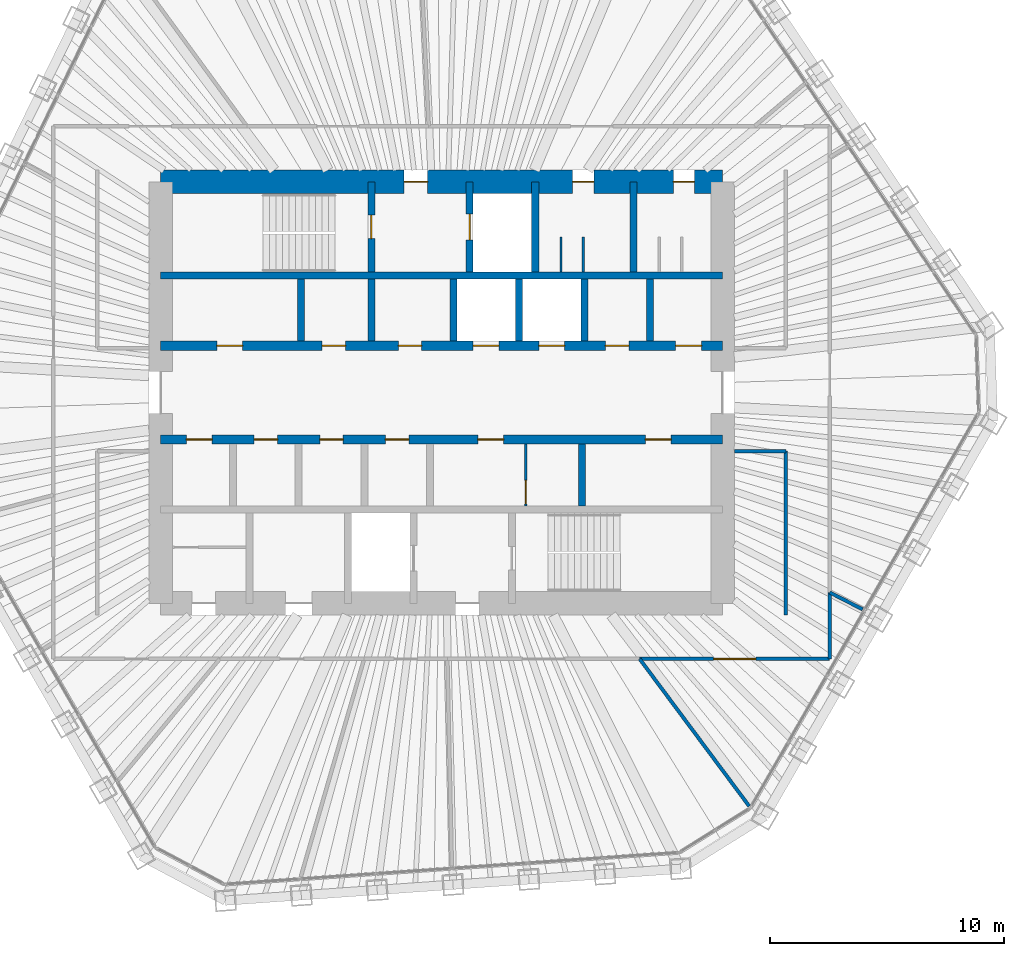
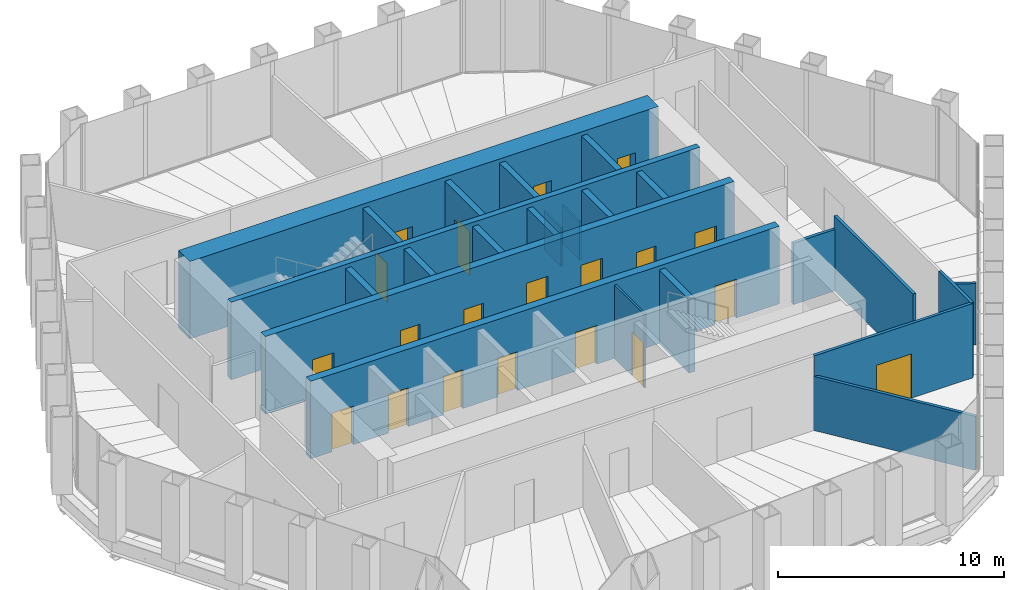
# One storey, part 12 of 14: 24 walls, 20 doors, 20 openings.
"""IFC4 building model written with IfcOpenShell, lengths in metres."""

from ifc_helpers import new_model, si_unit, direction, frame, frame_2d, origin, place, context, subcontext, project, spatial, rectangle, extrude, material, layer, layer_set, type_object, element, fill, save


model = new_model("IFC4")

# Units and contexts
model_context = context("Model", 3, precision=1e-05, world=origin(), true_north=direction((0.0, 1.0)))
body_context = subcontext(model_context, "Body", "Model", "MODEL_VIEW")
ifc_project = project(units=[si_unit("LENGTHUNIT", "METRE"), si_unit("AREAUNIT", "SQUARE_METRE"), si_unit("VOLUMEUNIT", "CUBIC_METRE"), si_unit("PLANEANGLEUNIT", "RADIAN"), si_unit("MASSUNIT", "GRAM", prefix="KILO")], contexts=[model_context])

# Site, building, storey
site_placement = place(None, origin())
site = spatial("IfcSite", under=ifc_project, at=site_placement, CompositionType="ELEMENT")
building_placement = place(site_placement, origin())
building = spatial("IfcBuilding", under=site, at=building_placement, Name="Qingtian Harvest Tower", CompositionType="ELEMENT")
storey_placement = place(building_placement, frame((0.0, 0.0, 291.39990234375)))
storey = spatial("IfcBuildingStorey", under=building, at=storey_placement, Name="L64", CompositionType="ELEMENT", Elevation=291.39990234375)

# Wall
ifc_material_1 = material(Name="Concrete fc' 70 MPa", Category="concrete")
ifc_layer_1 = layer(ifc_material_1, 0.300048828125)
ifc_layer_set_1 = layer_set([ifc_layer_1], Name="Core inner wall RC5 300")
wall_type_1 = type_object("IfcWallType", Name="Core inner wall RC5 300", PredefinedType="SHEAR", material=ifc_layer_set_1)
wall_1_placement = place(storey_placement, frame((-12.0, 5.0, 0.0), z_axis=(0.0, 0.0, 1.0), x_axis=(1.0, 0.0, 0.0)))
element("IfcWall", 1, at=wall_1_placement, inside=storey, type_object=wall_type_1, Name="Core wall IN5 L64", PredefinedType="SHEAR", context=body_context, shape_type="SweptSolid", body=[
    extrude(rectangle(XDim=24.0, YDim=0.300048828125, at=frame_2d((12.0, 0.0))), origin(), (0.0, 0.0, 1.0), 4.2001953125),
])

# Wall, openings, doors
ifc_material_2 = material(Name="Concrete fc' 70 MPa", Category="concrete")
ifc_layer_2 = layer(ifc_material_2, 0.39990234375)
ifc_layer_set_2 = layer_set([ifc_layer_2], Name="Core inner web RC6 400")
wall_type_2 = type_object("IfcWallType", Name="Core inner web RC6 400", PredefinedType="SHEAR", material=ifc_layer_set_2)
wall_2_placement = place(storey_placement, frame((-12.0, 2.0, 0.0), z_axis=(0.0, 0.0, 1.0), x_axis=(1.0, 0.0, 0.0)))
wall_2 = element("IfcWall", 2, at=wall_2_placement, inside=storey, type_object=wall_type_2, Name="Core wall IN2 L64", PredefinedType="SHEAR", context=body_context, shape_type="SweptSolid", body=[
    extrude(rectangle(XDim=24.0, YDim=0.39990234375, at=frame_2d((12.0, 0.0))), origin(), (0.0, 0.0, 1.0), 4.2001953125),
])
opening_1_placement = place(wall_2_placement, frame((2.39990234375, 0.0, 0.0)))
opening_1 = element("IfcOpeningElement", 3, at=opening_1_placement, cuts=wall_2, Name="Opening FD4", PredefinedType="OPENING", context=body_context, shape_type="SweptSolid", body=[
    extrude(rectangle(XDim=1.10009765625, YDim=2.10009765625, at=frame_2d((0.550048828125, 1.050048828125))), frame((0.0, 0.2099609375, 0.0), z_axis=(0.0, -1.0, 0.0), x_axis=(1.0, 0.0, 0.0)), (0.0, 0.0, 1.0), 0.419921875),
])
opening_2_placement = place(wall_2_placement, frame((22.0, 0.0, 0.0)))
opening_2 = element("IfcOpeningElement", 4, at=opening_2_placement, cuts=wall_2, Name="Opening FD4", PredefinedType="OPENING", context=body_context, shape_type="SweptSolid", body=[
    extrude(rectangle(XDim=1.10009765625, YDim=2.10009765625, at=frame_2d((0.550048828125, 1.050048828125))), frame((0.0, 0.2099609375, 0.0), z_axis=(0.0, -1.0, 0.0), x_axis=(1.0, 0.0, 0.0)), (0.0, 0.0, 1.0), 0.419921875),
])
opening_3_placement = place(wall_2_placement, frame((10.14990234375, 0.0, 0.0)))
opening_3 = element("IfcOpeningElement", 5, at=opening_3_placement, cuts=wall_2, Name="Opening FD1", PredefinedType="OPENING", context=body_context, shape_type="SweptSolid", body=[
    extrude(rectangle(XDim=1.0, YDim=2.10009765625, at=frame_2d((0.5, 1.050048828125))), frame((0.0, 0.2099609375, 0.0), z_axis=(0.0, -1.0, 0.0), x_axis=(1.0, 0.0, 0.0)), (0.0, 0.0, 1.0), 0.419921875),
])
opening_4_placement = place(wall_2_placement, frame((6.89990234375, 0.0, 0.0)))
opening_4 = element("IfcOpeningElement", 6, at=opening_4_placement, cuts=wall_2, Name="Opening FD1", PredefinedType="OPENING", context=body_context, shape_type="SweptSolid", body=[
    extrude(rectangle(XDim=1.0, YDim=2.10009765625, at=frame_2d((0.5, 1.050048828125))), frame((0.0, 0.2099609375, 0.0), z_axis=(0.0, -1.0, 0.0), x_axis=(1.0, 0.0, 0.0)), (0.0, 0.0, 1.0), 0.419921875),
])
opening_5_placement = place(wall_2_placement, frame((13.35009765625, 0.0, 0.0)))
opening_5 = element("IfcOpeningElement", 7, at=opening_5_placement, cuts=wall_2, Name="Opening LD1", PredefinedType="OPENING", context=body_context, shape_type="SweptSolid", body=[
    extrude(rectangle(XDim=1.10009765625, YDim=2.39990234375, at=frame_2d((0.550048828125, 1.199951171875))), frame((0.0, 0.2099609375, 0.0), z_axis=(0.0, -1.0, 0.0), x_axis=(1.0, 0.0, 0.0)), (0.0, 0.0, 1.0), 0.419921875),
])
opening_6_placement = place(wall_2_placement, frame((16.14990234375, 0.0, 0.0)))
opening_6 = element("IfcOpeningElement", 8, at=opening_6_placement, cuts=wall_2, Name="Opening LD1", PredefinedType="OPENING", context=body_context, shape_type="SweptSolid", body=[
    extrude(rectangle(XDim=1.10009765625, YDim=2.39990234375, at=frame_2d((0.550048828125, 1.199951171875))), frame((0.0, 0.2099609375, 0.0), z_axis=(0.0, -1.0, 0.0), x_axis=(1.0, 0.0, 0.0)), (0.0, 0.0, 1.0), 0.419921875),
])
opening_7_placement = place(wall_2_placement, frame((19.0, 0.0, 0.0)))
opening_7 = element("IfcOpeningElement", 9, at=opening_7_placement, cuts=wall_2, Name="Opening FD1", PredefinedType="OPENING", context=body_context, shape_type="SweptSolid", body=[
    extrude(rectangle(XDim=1.0, YDim=2.10009765625, at=frame_2d((0.5, 1.050048828125))), frame((0.0, 0.2099609375, 0.0), z_axis=(0.0, -1.0, 0.0), x_axis=(1.0, 0.0, 0.0)), (0.0, 0.0, 1.0), 0.419921875),
])
ifc_material_3 = material(Name="Steel-faced door leaf", Category="steel")
door_type_1 = type_object("IfcDoorType", Name="Fire door FD1 single 1 HR", OperationType="SINGLE_SWING_LEFT", PredefinedType="DOOR", material=ifc_material_3)
door_1_placement = place(opening_3_placement, origin())
door_1 = element("IfcDoor", 10, at=door_1_placement, inside=storey, type_object=door_type_1, Name="STA door L64", OperationType="SINGLE_SWING_RIGHT", OverallHeight=2.10009765625, OverallWidth=1.0, PredefinedType="DOOR", context=body_context, shape_type="SweptSolid", body=[
    extrude(rectangle(XDim=1.0, YDim=2.10009765625, at=frame_2d((0.5, 1.050048828125))), frame((0.0, 0.02490234375, 0.0), z_axis=(0.0, -1.0, 0.0), x_axis=(1.0, 0.0, 0.0)), (0.0, 0.0, 1.0), 0.050048828125),
])
fill(opening_3, door_1)
door_2_placement = place(opening_4_placement, origin())
door_2 = element("IfcDoor", 11, at=door_2_placement, inside=storey, type_object=door_type_1, Name="Staff WC door L64", OperationType="SINGLE_SWING_LEFT", OverallHeight=2.10009765625, OverallWidth=1.0, PredefinedType="DOOR", context=body_context, shape_type="SweptSolid", body=[
    extrude(rectangle(XDim=1.0, YDim=2.10009765625, at=frame_2d((0.5, 1.050048828125))), frame((0.0, 0.02490234375, 0.0), z_axis=(0.0, -1.0, 0.0), x_axis=(1.0, 0.0, 0.0)), (0.0, 0.0, 1.0), 0.050048828125),
])
fill(opening_4, door_2)
door_3_placement = place(opening_7_placement, origin())
door_3 = element("IfcDoor", 12, at=door_3_placement, inside=storey, type_object=door_type_1, Name="Tool store door L64", OperationType="SINGLE_SWING_LEFT", OverallHeight=2.10009765625, OverallWidth=1.0, PredefinedType="DOOR", context=body_context, shape_type="SweptSolid", body=[
    extrude(rectangle(XDim=1.0, YDim=2.10009765625, at=frame_2d((0.5, 1.050048828125))), frame((0.0, 0.02490234375, 0.0), z_axis=(0.0, -1.0, 0.0), x_axis=(1.0, 0.0, 0.0)), (0.0, 0.0, 1.0), 0.050048828125),
])
fill(opening_7, door_3)
ifc_material_4 = material(Name="Steel-faced door leaf", Category="steel")
door_type_2 = type_object("IfcDoorType", Name="Fire door FD4 single 2 HR", OperationType="SINGLE_SWING_LEFT", PredefinedType="DOOR", material=ifc_material_4)
door_4_placement = place(opening_1_placement, origin())
door_4 = element("IfcDoor", 13, at=door_4_placement, inside=storey, type_object=door_type_2, Name="RA door L64", OperationType="SINGLE_SWING_RIGHT", OverallHeight=2.10009765625, OverallWidth=1.10009765625, PredefinedType="DOOR", context=body_context, shape_type="SweptSolid", body=[
    extrude(rectangle(XDim=1.10009765625, YDim=2.10009765625, at=frame_2d((0.550048828125, 1.050048828125))), frame((0.0, 0.02490234375, 0.0), z_axis=(0.0, -1.0, 0.0), x_axis=(1.0, 0.0, 0.0)), (0.0, 0.0, 1.0), 0.050048828125),
])
fill(opening_1, door_4)
door_5_placement = place(opening_2_placement, origin())
door_5 = element("IfcDoor", 14, at=door_5_placement, inside=storey, type_object=door_type_2, Name="AHU door L64", OperationType="SINGLE_SWING_LEFT", OverallHeight=2.10009765625, OverallWidth=1.10009765625, PredefinedType="DOOR", context=body_context, shape_type="SweptSolid", body=[
    extrude(rectangle(XDim=1.10009765625, YDim=2.10009765625, at=frame_2d((0.550048828125, 1.050048828125))), frame((0.0, 0.02490234375, 0.0), z_axis=(0.0, -1.0, 0.0), x_axis=(1.0, 0.0, 0.0)), (0.0, 0.0, 1.0), 0.050048828125),
])
fill(opening_2, door_5)
ifc_material_5 = material(Name="Stainless steel lift landing door", Category="steel")
door_type_3 = type_object("IfcDoorType", Name="Lift landing door LD1 1 HR", OperationType="DOUBLE_DOOR_SLIDING", PredefinedType="DOOR", material=ifc_material_5)
door_6_placement = place(opening_5_placement, origin())
door_6 = element("IfcDoor", 15, at=door_6_placement, inside=storey, type_object=door_type_3, Name="PLD1 landing door L64", OperationType="DOUBLE_DOOR_SLIDING", OverallHeight=2.39990234375, OverallWidth=1.10009765625, PredefinedType="DOOR", context=body_context, shape_type="SweptSolid", body=[
    extrude(rectangle(XDim=1.10009765625, YDim=2.39990234375, at=frame_2d((0.550048828125, 1.199951171875))), frame((0.0, 0.02490234375, 0.0), z_axis=(0.0, -1.0, 0.0), x_axis=(1.0, 0.0, 0.0)), (0.0, 0.0, 1.0), 0.050048828125),
])
fill(opening_5, door_6)
door_7_placement = place(opening_6_placement, origin())
door_7 = element("IfcDoor", 16, at=door_7_placement, inside=storey, type_object=door_type_3, Name="PLD2 landing door L64", OperationType="DOUBLE_DOOR_SLIDING", OverallHeight=2.39990234375, OverallWidth=1.10009765625, PredefinedType="DOOR", context=body_context, shape_type="SweptSolid", body=[
    extrude(rectangle(XDim=1.10009765625, YDim=2.39990234375, at=frame_2d((0.550048828125, 1.199951171875))), frame((0.0, 0.02490234375, 0.0), z_axis=(0.0, -1.0, 0.0), x_axis=(1.0, 0.0, 0.0)), (0.0, 0.0, 1.0), 0.050048828125),
])
fill(opening_6, door_7)

wall_3_placement = place(storey_placement, frame((-12.0, -2.0, 0.0), z_axis=(0.0, 0.0, 1.0), x_axis=(1.0, 0.0, 0.0)))
wall_3 = element("IfcWall", 17, at=wall_3_placement, inside=storey, type_object=wall_type_2, Name="Core wall IS2 L64", PredefinedType="SHEAR", context=body_context, shape_type="SweptSolid", body=[
    extrude(rectangle(XDim=24.0, YDim=0.39990234375, at=frame_2d((12.0, 0.0))), origin(), (0.0, 0.0, 1.0), 4.2001953125),
])
opening_8_placement = place(wall_3_placement, frame((1.10009765625, 0.0, 0.0)))
opening_8 = element("IfcOpeningElement", 18, at=opening_8_placement, cuts=wall_3, Name="Opening FD4", PredefinedType="OPENING", context=body_context, shape_type="SweptSolid", body=[
    extrude(rectangle(XDim=1.10009765625, YDim=2.10009765625, at=frame_2d((0.550048828125, 1.050048828125))), frame((0.0, 0.2099609375, 0.0), z_axis=(0.0, -1.0, 0.0), x_axis=(1.0, 0.0, 0.0)), (0.0, 0.0, 1.0), 0.419921875),
])
opening_9_placement = place(wall_3_placement, frame((13.550048828125, 0.0, 0.0)))
opening_9 = element("IfcOpeningElement", 19, at=opening_9_placement, cuts=wall_3, Name="Opening FD4", PredefinedType="OPENING", context=body_context, shape_type="SweptSolid", body=[
    extrude(rectangle(XDim=1.10009765625, YDim=2.10009765625, at=frame_2d((0.550048828125, 1.050048828125))), frame((0.0, 0.2099609375, 0.0), z_axis=(0.0, -1.0, 0.0), x_axis=(1.0, 0.0, 0.0)), (0.0, 0.0, 1.0), 0.419921875),
])
opening_10_placement = place(wall_3_placement, frame((20.699951171875, 0.0, 0.0)))
opening_10 = element("IfcOpeningElement", 20, at=opening_10_placement, cuts=wall_3, Name="Opening FD4", PredefinedType="OPENING", context=body_context, shape_type="SweptSolid", body=[
    extrude(rectangle(XDim=1.10009765625, YDim=2.10009765625, at=frame_2d((0.550048828125, 1.050048828125))), frame((0.0, 0.2099609375, 0.0), z_axis=(0.0, -1.0, 0.0), x_axis=(1.0, 0.0, 0.0)), (0.0, 0.0, 1.0), 0.419921875),
])
opening_11_placement = place(wall_3_placement, frame((4.0, 0.0, 0.0)))
opening_11 = element("IfcOpeningElement", 21, at=opening_11_placement, cuts=wall_3, Name="Opening FD1", PredefinedType="OPENING", context=body_context, shape_type="SweptSolid", body=[
    extrude(rectangle(XDim=1.0, YDim=2.10009765625, at=frame_2d((0.5, 1.050048828125))), frame((0.0, 0.2099609375, 0.0), z_axis=(0.0, -1.0, 0.0), x_axis=(1.0, 0.0, 0.0)), (0.0, 0.0, 1.0), 0.419921875),
])
opening_12_placement = place(wall_3_placement, frame((6.800048828125, 0.0, 0.0)))
opening_12 = element("IfcOpeningElement", 22, at=opening_12_placement, cuts=wall_3, Name="Opening FD1", PredefinedType="OPENING", context=body_context, shape_type="SweptSolid", body=[
    extrude(rectangle(XDim=1.0, YDim=2.10009765625, at=frame_2d((0.5, 1.050048828125))), frame((0.0, 0.2099609375, 0.0), z_axis=(0.0, -1.0, 0.0), x_axis=(1.0, 0.0, 0.0)), (0.0, 0.0, 1.0), 0.419921875),
])
opening_13_placement = place(wall_3_placement, frame((9.60009765625, 0.0, 0.0)))
opening_13 = element("IfcOpeningElement", 23, at=opening_13_placement, cuts=wall_3, Name="Opening FD1", PredefinedType="OPENING", context=body_context, shape_type="SweptSolid", body=[
    extrude(rectangle(XDim=1.0, YDim=2.10009765625, at=frame_2d((0.5, 1.050048828125))), frame((0.0, 0.2099609375, 0.0), z_axis=(0.0, -1.0, 0.0), x_axis=(1.0, 0.0, 0.0)), (0.0, 0.0, 1.0), 0.419921875),
])
door_8_placement = place(opening_11_placement, origin())
door_8 = element("IfcDoor", 24, at=door_8_placement, inside=storey, type_object=door_type_1, Name="Staff WC door L64", OperationType="SINGLE_SWING_LEFT", OverallHeight=2.10009765625, OverallWidth=1.0, PredefinedType="DOOR", context=body_context, shape_type="SweptSolid", body=[
    extrude(rectangle(XDim=1.0, YDim=2.10009765625, at=frame_2d((0.5, 1.050048828125))), frame((0.0, 0.02490234375, 0.0), z_axis=(0.0, -1.0, 0.0), x_axis=(1.0, 0.0, 0.0)), (0.0, 0.0, 1.0), 0.050048828125),
])
fill(opening_11, door_8)
door_9_placement = place(opening_12_placement, origin())
door_9 = element("IfcDoor", 25, at=door_9_placement, inside=storey, type_object=door_type_1, Name="Tea point door L64", OperationType="SINGLE_SWING_LEFT", OverallHeight=2.10009765625, OverallWidth=1.0, PredefinedType="DOOR", context=body_context, shape_type="SweptSolid", body=[
    extrude(rectangle(XDim=1.0, YDim=2.10009765625, at=frame_2d((0.5, 1.050048828125))), frame((0.0, 0.02490234375, 0.0), z_axis=(0.0, -1.0, 0.0), x_axis=(1.0, 0.0, 0.0)), (0.0, 0.0, 1.0), 0.050048828125),
])
fill(opening_12, door_9)
door_10_placement = place(opening_13_placement, origin())
door_10 = element("IfcDoor", 26, at=door_10_placement, inside=storey, type_object=door_type_1, Name="Pantry door L64", OperationType="SINGLE_SWING_LEFT", OverallHeight=2.10009765625, OverallWidth=1.0, PredefinedType="DOOR", context=body_context, shape_type="SweptSolid", body=[
    extrude(rectangle(XDim=1.0, YDim=2.10009765625, at=frame_2d((0.5, 1.050048828125))), frame((0.0, 0.02490234375, 0.0), z_axis=(0.0, -1.0, 0.0), x_axis=(1.0, 0.0, 0.0)), (0.0, 0.0, 1.0), 0.050048828125),
])
fill(opening_13, door_10)
door_11_placement = place(opening_8_placement, origin())
door_11 = element("IfcDoor", 27, at=door_11_placement, inside=storey, type_object=door_type_2, Name="RB door L64", OperationType="SINGLE_SWING_RIGHT", OverallHeight=2.10009765625, OverallWidth=1.10009765625, PredefinedType="DOOR", context=body_context, shape_type="SweptSolid", body=[
    extrude(rectangle(XDim=1.10009765625, YDim=2.10009765625, at=frame_2d((0.550048828125, 1.050048828125))), frame((0.0, 0.02490234375, 0.0), z_axis=(0.0, -1.0, 0.0), x_axis=(1.0, 0.0, 0.0)), (0.0, 0.0, 1.0), 0.050048828125),
])
fill(opening_8, door_11)
door_12_placement = place(opening_9_placement, origin())
door_12 = element("IfcDoor", 28, at=door_12_placement, inside=storey, type_object=door_type_2, Name="ELEC door L64", OperationType="SINGLE_SWING_RIGHT", OverallHeight=2.10009765625, OverallWidth=1.10009765625, PredefinedType="DOOR", context=body_context, shape_type="SweptSolid", body=[
    extrude(rectangle(XDim=1.10009765625, YDim=2.10009765625, at=frame_2d((0.550048828125, 1.050048828125))), frame((0.0, 0.02490234375, 0.0), z_axis=(0.0, -1.0, 0.0), x_axis=(1.0, 0.0, 0.0)), (0.0, 0.0, 1.0), 0.050048828125),
])
fill(opening_9, door_12)
door_13_placement = place(opening_10_placement, origin())
door_13 = element("IfcDoor", 29, at=door_13_placement, inside=storey, type_object=door_type_2, Name="DUCT door L64", OperationType="SINGLE_SWING_LEFT", OverallHeight=2.10009765625, OverallWidth=1.10009765625, PredefinedType="DOOR", context=body_context, shape_type="SweptSolid", body=[
    extrude(rectangle(XDim=1.10009765625, YDim=2.10009765625, at=frame_2d((0.550048828125, 1.050048828125))), frame((0.0, 0.02490234375, 0.0), z_axis=(0.0, -1.0, 0.0), x_axis=(1.0, 0.0, 0.0)), (0.0, 0.0, 1.0), 0.050048828125),
])
fill(opening_10, door_13)

# Wall, opening, door
ifc_material_6 = material(Name="Precast concrete shaft panel", Category="concrete")
ifc_layer_3 = layer(ifc_material_6, 0.300048828125)
ifc_layer_set_3 = layer_set([ifc_layer_3], Name="Core shaft partition SW1 300")
wall_type_3 = type_object("IfcWallType", Name="Core shaft partition SW1 300", PredefinedType="PARTITIONING", material=ifc_layer_set_3)
wall_4_placement = place(storey_placement, frame((-3.0, 5.14990234375, 0.0), z_axis=(0.0, 0.0, 1.0), x_axis=(0.0, 1.0, 0.0)))
wall_4 = element("IfcWall", 30, at=wall_4_placement, inside=storey, type_object=wall_type_3, Name="Core shaft partition XN1 L64", PredefinedType="PARTITIONING", context=body_context, shape_type="SweptSolid", body=[
    extrude(rectangle(XDim=3.85009765625, YDim=0.300048828125, at=frame_2d((1.925048828125, 0.0))), origin(), (0.0, 0.0, 1.0), 3.97998046875),
])
opening_14_placement = place(wall_4_placement, frame((1.425048828125, 0.0, 0.0)))
opening_14 = element("IfcOpeningElement", 31, at=opening_14_placement, cuts=wall_4, Name="Opening FD1", PredefinedType="OPENING", context=body_context, shape_type="SweptSolid", body=[
    extrude(rectangle(XDim=1.0, YDim=2.10009765625, at=frame_2d((0.5, 1.050048828125))), frame((0.0, 0.159912109375, 0.0), z_axis=(0.0, -1.0, 0.0), x_axis=(1.0, 0.0, 0.0)), (0.0, 0.0, 1.0), 0.320068359375),
])
door_14_placement = place(opening_14_placement, origin())
door_14 = element("IfcDoor", 32, at=door_14_placement, inside=storey, type_object=door_type_1, Name="S1 door L64", OperationType="SINGLE_SWING_LEFT", OverallHeight=2.10009765625, OverallWidth=1.0, PredefinedType="DOOR", context=body_context, shape_type="SweptSolid", body=[
    extrude(rectangle(XDim=1.0, YDim=2.10009765625, at=frame_2d((0.5, 1.050048828125))), frame((0.0, 0.02490234375, 0.0), z_axis=(0.0, -1.0, 0.0), x_axis=(1.0, 0.0, 0.0)), (0.0, 0.0, 1.0), 0.050048828125),
])
fill(opening_14, door_14)

wall_5_placement = place(storey_placement, frame((1.199951171875, 5.14990234375, 0.0), z_axis=(0.0, 0.0, 1.0), x_axis=(0.0, 1.0, 0.0)))
wall_5 = element("IfcWall", 33, at=wall_5_placement, inside=storey, type_object=wall_type_3, Name="Core shaft partition XN2 L64", PredefinedType="PARTITIONING", context=body_context, shape_type="SweptSolid", body=[
    extrude(rectangle(XDim=3.85009765625, YDim=0.300048828125, at=frame_2d((1.925048828125, 0.0))), origin(), (0.0, 0.0, 1.0), 3.97998046875),
])
opening_15_placement = place(wall_5_placement, frame((1.375, 0.0, 0.0)))
opening_15 = element("IfcOpeningElement", 34, at=opening_15_placement, cuts=wall_5, Name="Opening LD1", PredefinedType="OPENING", context=body_context, shape_type="SweptSolid", body=[
    extrude(rectangle(XDim=1.10009765625, YDim=2.39990234375, at=frame_2d((0.550048828125, 1.199951171875))), frame((0.0, 0.159912109375, 0.0), z_axis=(0.0, -1.0, 0.0), x_axis=(1.0, 0.0, 0.0)), (0.0, 0.0, 1.0), 0.320068359375),
])
door_15_placement = place(opening_15_placement, origin())
door_15 = element("IfcDoor", 35, at=door_15_placement, inside=storey, type_object=door_type_3, Name="FL1 landing door L64", OperationType="DOUBLE_DOOR_SLIDING", OverallHeight=2.39990234375, OverallWidth=1.10009765625, PredefinedType="DOOR", context=body_context, shape_type="SweptSolid", body=[
    extrude(rectangle(XDim=1.10009765625, YDim=2.39990234375, at=frame_2d((0.550048828125, 1.199951171875))), frame((0.0, 0.02490234375, 0.0), z_axis=(0.0, -1.0, 0.0), x_axis=(1.0, 0.0, 0.0)), (0.0, 0.0, 1.0), 0.050048828125),
])
fill(opening_15, door_15)

# Walls
for number, where, z_axis, x_axis, name in (
    (36, (4.0, 5.14990234375, 0.0), (0.0, 0.0, 1.0), (0.0, 1.0, 0.0), "Core shaft partition XN3 L64"),
    (37, (8.199951171875, 5.14990234375, 0.0), (0.0, 0.0, 1.0), (0.0, 1.0, 0.0), "Core shaft partition XN4 L64"),
):
    element("IfcWall", number, at=place(storey_placement, frame(where, z_axis=z_axis, x_axis=x_axis)), inside=storey, type_object=wall_type_3, Name=name, PredefinedType="PARTITIONING", context=body_context, shape_type="SweptSolid", body=[
        extrude(rectangle(XDim=3.85009765625, YDim=0.300048828125, at=frame_2d((1.925048828125, 0.0))), origin(), (0.0, 0.0, 1.0), 3.97998046875),
    ])
for number, where, z_axis, x_axis, name in (
    (38, (-6.0, 2.199951171875, 0.0), (0.0, 0.0, 1.0), (0.0, 1.0, 0.0), "Core shaft partition XA1 L64"),
    (39, (-3.0, 2.199951171875, 0.0), (0.0, 0.0, 1.0), (0.0, 1.0, 0.0), "Core shaft partition XA2 L64"),
    (40, (0.5, 2.199951171875, 0.0), (0.0, 0.0, 1.0), (0.0, 1.0, 0.0), "Core shaft partition XA3 L64"),
    (41, (3.300048828125, 2.199951171875, 0.0), (0.0, 0.0, 1.0), (0.0, 1.0, 0.0), "Core shaft partition XA4 L64"),
    (42, (6.10009765625, 2.199951171875, 0.0), (0.0, 0.0, 1.0), (0.0, 1.0, 0.0), "Core shaft partition XA5 L64"),
    (43, (8.89990234375, 2.199951171875, 0.0), (0.0, 0.0, 1.0), (0.0, 1.0, 0.0), "Core shaft partition XA6 L64"),
    (44, (6.0, -4.85009765625, 0.0), (0.0, 0.0, 1.0), (0.0, 1.0, 0.0), "Core shaft partition XB5 L64"),
):
    element("IfcWall", number, at=place(storey_placement, frame(where, z_axis=z_axis, x_axis=x_axis)), inside=storey, type_object=wall_type_3, Name=name, PredefinedType="PARTITIONING", context=body_context, shape_type="SweptSolid", body=[
        extrude(rectangle(XDim=2.650146484375, YDim=0.300048828125, at=frame_2d((1.3251953125, 0.0))), origin(), (0.0, 0.0, 1.0), 3.97998046875),
    ])

# Wall, openings, doors
ifc_material_7 = material(Name="Concrete fc' 70 MPa", Category="concrete")
ifc_layer_4 = layer(ifc_material_7, 1.0)
ifc_layer_set_4 = layer_set([ifc_layer_4], Name="Core wall RC3 1000")
wall_type_4 = type_object("IfcWallType", Name="Core wall RC3 1000", PredefinedType="SHEAR", material=ifc_layer_set_4)
wall_6_placement = place(storey_placement, frame((-12.0, 9.0, 0.0), z_axis=(0.0, 0.0, 1.0), x_axis=(1.0, 0.0, 0.0)))
wall_6 = element("IfcWall", 45, at=wall_6_placement, inside=storey, type_object=wall_type_4, Name="Core wall CN L64", PredefinedType="SHEAR", context=body_context, shape_type="SweptSolid", body=[
    extrude(rectangle(XDim=24.0, YDim=1.0, at=frame_2d((12.0, 0.0))), origin(), (0.0, 0.0, 1.0), 4.2001953125),
])
opening_16_placement = place(wall_6_placement, frame((10.39990234375, 0.0, 0.0)))
opening_16 = element("IfcOpeningElement", 46, at=opening_16_placement, cuts=wall_6, Name="Opening FD1", PredefinedType="OPENING", context=body_context, shape_type="SweptSolid", body=[
    extrude(rectangle(XDim=1.0, YDim=2.10009765625, at=frame_2d((0.5, 1.050048828125))), frame((0.0, 0.510009765625, 0.0), z_axis=(0.0, -1.0, 0.0), x_axis=(1.0, 0.0, 0.0)), (0.0, 0.0, 1.0), 1.02001953125),
])
opening_17_placement = place(wall_6_placement, frame((17.60009765625, 0.0, 0.0)))
opening_17 = element("IfcOpeningElement", 47, at=opening_17_placement, cuts=wall_6, Name="Opening D1", PredefinedType="OPENING", context=body_context, shape_type="SweptSolid", body=[
    extrude(rectangle(XDim=0.89990234375, YDim=2.10009765625, at=frame_2d((0.449951171875, 1.050048828125))), frame((0.0, 0.510009765625, 0.0), z_axis=(0.0, -1.0, 0.0), x_axis=(1.0, 0.0, 0.0)), (0.0, 0.0, 1.0), 1.02001953125),
])
opening_18_placement = place(wall_6_placement, frame((21.89990234375, 0.0, 0.0)))
opening_18 = element("IfcOpeningElement", 48, at=opening_18_placement, cuts=wall_6, Name="Opening D1", PredefinedType="OPENING", context=body_context, shape_type="SweptSolid", body=[
    extrude(rectangle(XDim=0.89990234375, YDim=2.10009765625, at=frame_2d((0.449951171875, 1.050048828125))), frame((0.0, 0.510009765625, 0.0), z_axis=(0.0, -1.0, 0.0), x_axis=(1.0, 0.0, 0.0)), (0.0, 0.0, 1.0), 1.02001953125),
])
door_16_placement = place(opening_16_placement, origin())
door_16 = element("IfcDoor", 49, at=door_16_placement, inside=storey, type_object=door_type_1, Name="V1 door L64", OperationType="SINGLE_SWING_RIGHT", OverallHeight=2.10009765625, OverallWidth=1.0, PredefinedType="DOOR", context=body_context, shape_type="SweptSolid", body=[
    extrude(rectangle(XDim=1.0, YDim=2.10009765625, at=frame_2d((0.5, 1.050048828125))), frame((0.0, 0.02490234375, 0.0), z_axis=(0.0, -1.0, 0.0), x_axis=(1.0, 0.0, 0.0)), (0.0, 0.0, 1.0), 0.050048828125),
])
fill(opening_16, door_16)
ifc_material_8 = material(Name="Laminated timber door leaf", Category="wood")
door_type_4 = type_object("IfcDoorType", Name="Toilet door D1 single", OperationType="SINGLE_SWING_LEFT", PredefinedType="DOOR", material=ifc_material_8)
door_17_placement = place(opening_17_placement, origin())
door_17 = element("IfcDoor", 50, at=door_17_placement, inside=storey, type_object=door_type_4, Name="WCM door L64", OperationType="SINGLE_SWING_RIGHT", OverallHeight=2.10009765625, OverallWidth=0.89990234375, PredefinedType="DOOR", context=body_context, shape_type="SweptSolid", body=[
    extrude(rectangle(XDim=0.89990234375, YDim=2.10009765625, at=frame_2d((0.449951171875, 1.050048828125))), frame((0.0, 0.02490234375, 0.0), z_axis=(0.0, -1.0, 0.0), x_axis=(1.0, 0.0, 0.0)), (0.0, 0.0, 1.0), 0.050048828125),
])
fill(opening_17, door_17)
door_18_placement = place(opening_18_placement, origin())
door_18 = element("IfcDoor", 51, at=door_18_placement, inside=storey, type_object=door_type_4, Name="WCF door L64", OperationType="SINGLE_SWING_RIGHT", OverallHeight=2.10009765625, OverallWidth=0.89990234375, PredefinedType="DOOR", context=body_context, shape_type="SweptSolid", body=[
    extrude(rectangle(XDim=0.89990234375, YDim=2.10009765625, at=frame_2d((0.449951171875, 1.050048828125))), frame((0.0, 0.02490234375, 0.0), z_axis=(0.0, -1.0, 0.0), x_axis=(1.0, 0.0, 0.0)), (0.0, 0.0, 1.0), 0.050048828125),
])
fill(opening_18, door_18)

# Walls
ifc_material_9 = material(Name="Gypsum board on steel studs", Category="steel")
ifc_layer_5 = layer(ifc_material_9, 0.14990234375)
ifc_layer_set_5 = layer_set([ifc_layer_5], Name="Partition PT1 150")
wall_type_5 = type_object("IfcWallType", Name="Partition PT1 150", PredefinedType="PARTITIONING", material=ifc_layer_set_5)
wall_7_placement = place(storey_placement, frame((17.98046875, -9.257080078125, 0.0), z_axis=(0.0, 0.0, 1.0), x_axis=(-0.88908312915, 0.457745769463, 0.0)))
element("IfcWall", 52, at=wall_7_placement, inside=storey, type_object=wall_type_5, Name="Meeting room wall L64", PredefinedType="PARTITIONING", context=body_context, shape_type="SweptSolid", body=[
    extrude(rectangle(XDim=1.580810546875, YDim=0.14990234375, at=frame_2d((0.79052734375, 0.0))), origin(), (0.0, 0.0, 1.0), 3.330078125),
])
wall_8_placement = place(storey_placement, frame((16.574951171875, -8.533447265625, 0.0), z_axis=(0.0, 0.0, 1.0), x_axis=(0.0, -1.0, 0.0)))
element("IfcWall", 53, at=wall_8_placement, inside=storey, type_object=wall_type_5, Name="Meeting room wall L64", PredefinedType="PARTITIONING", context=body_context, shape_type="SweptSolid", body=[
    extrude(rectangle(XDim=2.841552734375, YDim=0.14990234375, at=frame_2d((1.4208984375, 0.0))), origin(), (0.0, 0.0, 1.0), 4.030029296875),
])

# Wall, opening, door
wall_9_placement = place(storey_placement, frame((16.574951171875, -11.375, 0.0), z_axis=(0.0, 0.0, 1.0), x_axis=(-1.0, 0.0, 0.0)))
wall_9 = element("IfcWall", 54, at=wall_9_placement, inside=storey, type_object=wall_type_5, Name="Meeting room wall L64", PredefinedType="PARTITIONING", context=body_context, shape_type="SweptSolid", body=[
    extrude(rectangle(XDim=8.113525390625, YDim=0.14990234375, at=frame_2d((4.056640625, 0.0))), origin(), (0.0, 0.0, 1.0), 4.030029296875),
])
opening_19_placement = place(wall_9_placement, frame((3.15673828125, 0.0, 0.0)))
opening_19 = element("IfcOpeningElement", 55, at=opening_19_placement, cuts=wall_9, Name="Opening D3", PredefinedType="OPENING", context=body_context, shape_type="SweptSolid", body=[
    extrude(rectangle(XDim=1.800048828125, YDim=2.39990234375, at=frame_2d((0.89990234375, 1.199951171875))), frame((0.0, 0.0849609375, 0.0), z_axis=(0.0, -1.0, 0.0), x_axis=(1.0, 0.0, 0.0)), (0.0, 0.0, 1.0), 0.169921875),
])
ifc_material_10 = material(Name="Laminated timber door leaf", Category="wood")
door_type_5 = type_object("IfcDoorType", Name="Room door D3 double", OperationType="DOUBLE_DOOR_DOUBLE_SWING", PredefinedType="DOOR", material=ifc_material_10)
door_19_placement = place(opening_19_placement, origin())
door_19 = element("IfcDoor", 56, at=door_19_placement, inside=storey, type_object=door_type_5, Name="Meeting room door L64", OperationType="DOUBLE_DOOR_DOUBLE_SWING", OverallHeight=2.39990234375, OverallWidth=1.800048828125, PredefinedType="DOOR", context=body_context, shape_type="SweptSolid", body=[
    extrude(rectangle(XDim=1.800048828125, YDim=2.39990234375, at=frame_2d((0.89990234375, 1.199951171875))), frame((0.0, 0.02490234375, 0.0), z_axis=(0.0, -1.0, 0.0), x_axis=(1.0, 0.0, 0.0)), (0.0, 0.0, 1.0), 0.050048828125),
])
fill(opening_19, door_19)

# Walls
wall_10_placement = place(storey_placement, frame((13.1376953125, -17.661376953125, 0.0), z_axis=(0.0, 0.0, 1.0), x_axis=(-0.596849390438, 0.802353291969, 0.0)))
element("IfcWall", 57, at=wall_10_placement, inside=storey, type_object=wall_type_5, Name="Workplace zone wall L64", PredefinedType="PARTITIONING", context=body_context, shape_type="SweptSolid", body=[
    extrude(rectangle(XDim=7.8349609375, YDim=0.14990234375, at=frame_2d((3.91748046875, 0.0))), origin(), (0.0, 0.0, 1.0), 2.93017578125),
])
wall_11_placement = place(storey_placement, frame((14.699951171875, -9.5, 0.0), z_axis=(0.0, 0.0, 1.0), x_axis=(0.0, 1.0, 0.0)))
element("IfcWall", 58, at=wall_11_placement, inside=storey, type_object=wall_type_5, Name="Print area wall L64", PredefinedType="PARTITIONING", context=body_context, shape_type="SweptSolid", body=[
    extrude(rectangle(XDim=7.0, YDim=0.14990234375, at=frame_2d((3.5, 0.0))), origin(), (0.0, 0.0, 1.0), 4.030029296875),
])
wall_12_placement = place(storey_placement, frame((12.5, -2.5, 0.0), z_axis=(0.0, 0.0, 1.0), x_axis=(1.0, 0.0, 0.0)))
element("IfcWall", 59, at=wall_12_placement, inside=storey, type_object=wall_type_5, Name="Print area wall L64", PredefinedType="PARTITIONING", context=body_context, shape_type="SweptSolid", body=[
    extrude(rectangle(XDim=2.199951171875, YDim=0.14990234375, at=frame_2d((1.10009765625, 0.0))), origin(), (0.0, 0.0, 1.0), 3.330078125),
])

# Wall, opening, door
ifc_material_11 = material(Name="Concrete block partition", Category="concrete")
ifc_layer_6 = layer(ifc_material_11, 0.10009765625)
ifc_layer_set_6 = layer_set([ifc_layer_6], Name="Store partition PT3 100")
wall_type_6 = type_object("IfcWallType", Name="Store partition PT3 100", PredefinedType="PARTITIONING", material=ifc_layer_set_6)
wall_13_placement = place(storey_placement, frame((3.60009765625, -4.85009765625, 0.0), z_axis=(0.0, 0.0, 1.0), x_axis=(0.0, 1.0, 0.0)))
wall_13 = element("IfcWall", 60, at=wall_13_placement, inside=storey, type_object=wall_type_6, Name="Comms room wall L64", PredefinedType="PARTITIONING", context=body_context, shape_type="SweptSolid", body=[
    extrude(rectangle(XDim=2.650146484375, YDim=0.10009765625, at=frame_2d((1.3251953125, 0.0))), origin(), (0.0, 0.0, 1.0), 3.97998046875),
])
opening_20_placement = place(wall_13_placement, frame((0.10009765625, 0.0, 0.0)))
opening_20 = element("IfcOpeningElement", 61, at=opening_20_placement, cuts=wall_13, Name="Opening D2", PredefinedType="OPENING", context=body_context, shape_type="SweptSolid", body=[
    extrude(rectangle(XDim=1.0, YDim=2.39990234375, at=frame_2d((0.5, 1.199951171875))), frame((0.0, 0.06005859375, 0.0), z_axis=(0.0, -1.0, 0.0), x_axis=(1.0, 0.0, 0.0)), (0.0, 0.0, 1.0), 0.1201171875),
])
ifc_material_12 = material(Name="Laminated timber door leaf", Category="wood")
door_type_6 = type_object("IfcDoorType", Name="Room door D2 single", OperationType="SINGLE_SWING_LEFT", PredefinedType="DOOR", material=ifc_material_12)
door_20_placement = place(opening_20_placement, origin())
door_20 = element("IfcDoor", 62, at=door_20_placement, inside=storey, type_object=door_type_6, Name="Comms room door L64", OperationType="SINGLE_SWING_RIGHT", OverallHeight=2.39990234375, OverallWidth=1.0, PredefinedType="DOOR", context=body_context, shape_type="SweptSolid", body=[
    extrude(rectangle(XDim=1.0, YDim=2.39990234375, at=frame_2d((0.5, 1.199951171875))), frame((0.0, 0.02490234375, 0.0), z_axis=(0.0, -1.0, 0.0), x_axis=(1.0, 0.0, 0.0)), (0.0, 0.0, 1.0), 0.050048828125),
])
fill(opening_20, door_20)

# Walls
ifc_material_13 = material(Name="Compact laminate cubicle partition", Category="plastic")
ifc_layer_7 = layer(ifc_material_13, 0.10009765625)
ifc_layer_set_7 = layer_set([ifc_layer_7], Name="WC cubicle partition WP1 100")
wall_type_7 = type_object("IfcWallType", Name="WC cubicle partition WP1 100", PredefinedType="PARTITIONING", material=ifc_layer_set_7)
for number, where, z_axis, x_axis, name in (
    (63, (5.10009765625, 5.14990234375, 0.0), (0.0, 0.0, 1.0), (0.0, 1.0, 0.0), "WC cubicle partition WCM L64"),
    (64, (6.050048828125, 5.14990234375, 0.0), (0.0, 0.0, 1.0), (0.0, 1.0, 0.0), "WC cubicle partition WCM L64"),
):
    element("IfcWall", number, at=place(storey_placement, frame(where, z_axis=z_axis, x_axis=x_axis)), inside=storey, type_object=wall_type_7, Name=name, PredefinedType="PARTITIONING", context=body_context, shape_type="SweptSolid", body=[
        extrude(rectangle(XDim=1.5, YDim=0.10009765625, at=frame_2d((0.75, 0.0))), origin(), (0.0, 0.0, 1.0), 2.10009765625),
    ])

save(model, "model.ifc")
